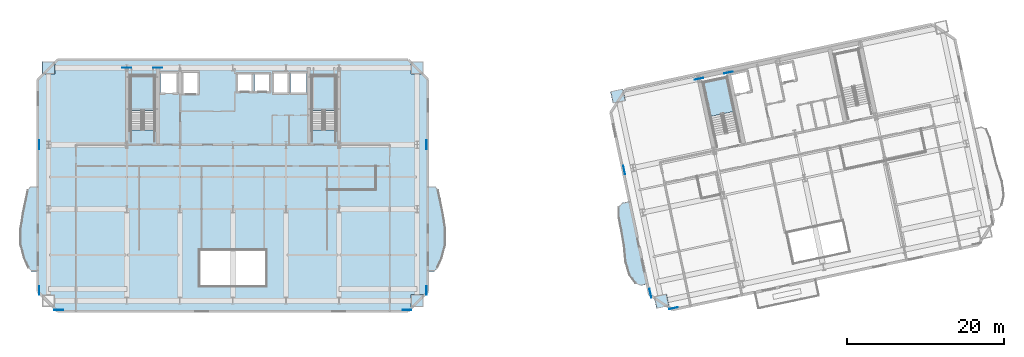
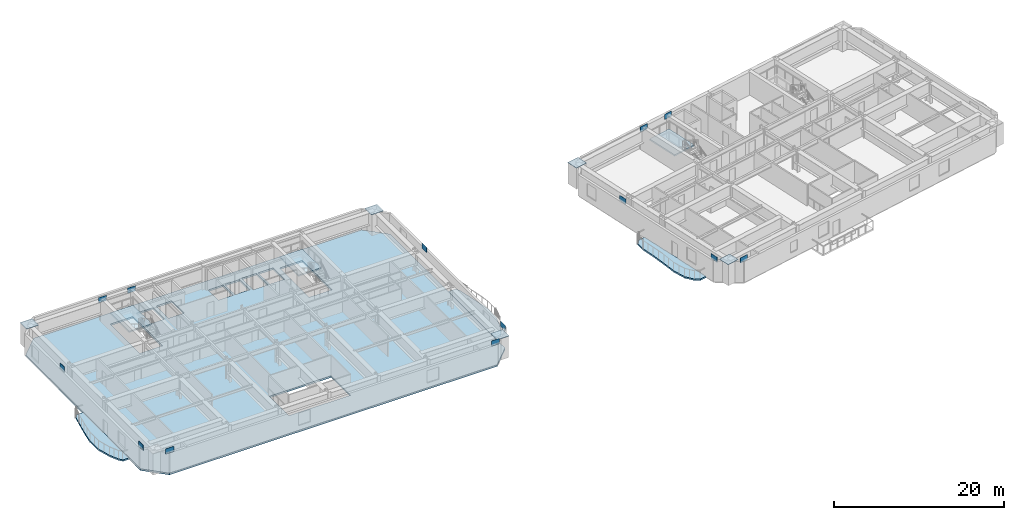
# One storey, part 5 of 16: 18 plates, 7 slabs, 3 elements without a shape of their own.
"""IFC4 building model written with IfcOpenShell, lengths in metres."""

from ifc_helpers import new_model, si_unit, direction, frame, origin, origin_2d, place, context, subcontext, project, spatial, polyline, rectangle, outline, extrude, material, layer, layer_set, type_object, element, aggregate, save


model = new_model("IFC4")

# Units and contexts
model_context = context("Model", 3, precision=1e-05, world=origin(), true_north=direction((0.0, 1.0)))
body_context = subcontext(model_context, "Body", "Model", "MODEL_VIEW")
ifc_project = project(units=[si_unit("LENGTHUNIT", "METRE"), si_unit("AREAUNIT", "SQUARE_METRE"), si_unit("VOLUMEUNIT", "CUBIC_METRE"), si_unit("PLANEANGLEUNIT", "RADIAN"), si_unit("MASSUNIT", "GRAM", prefix="KILO")], contexts=[model_context])

# Site, building, storey
site_placement = place(None, origin())
site = spatial("IfcSite", under=ifc_project, at=site_placement, CompositionType="ELEMENT")
building_placement = place(site_placement, origin())
building = spatial("IfcBuilding", under=site, at=building_placement, Name="Haevon Station Towers", CompositionType="ELEMENT")
storey_placement = place(building_placement, frame((0.0, 0.0, 90.0)))
storey = spatial("IfcBuildingStorey", under=building, at=storey_placement, Name="L23", CompositionType="ELEMENT", Elevation=90.0)

# Plates
ifc_material_1 = material(Name="PL-FLG1", Category="steel")
ifc_layer_1 = layer(ifc_material_1, 0.044921875)
ifc_layer_set_1 = layer_set([ifc_layer_1], Name="PL-FLG1")
plate_type_1 = type_object("IfcPlateType", Name="PL-FLG1", PredefinedType="USERDEFINED", material=ifc_layer_set_1)
for number, where, z_axis, x_axis, name in (
    (1, (14.050048828125, 48.0, 3.050048828125), (0.0, 0.0, 1.0), (1.0, 0.0, 0.0), "PL-CAP-T1-L23-01-04"),
    (2, (60.949951171875, 18.35009765625, 3.050048828125), (0.0, 0.0, 1.0), (1.0, 0.0, 0.0), "PL-CAP-T1-L23-07-01"),
    (3, (60.949951171875, 48.0, 3.050048828125), (0.0, 0.0, 1.0), (1.0, 0.0, 0.0), "PL-CAP-T1-L23-07-04"),
    (4, (92.040283203125, 18.278076171875, 3.050048828125), (0.0, 0.0, 1.0), (0.978147600734, 0.207911690818, 0.0), "PL-CAP-T2-L23-01-01"),
    (5, (86.489013671875, 44.39453125, 3.050048828125), (0.0, 0.0, 1.0), (0.978147600734, 0.207911690818, 0.0), "PL-CAP-T2-L23-01-04"),
):
    element("IfcPlate", number, at=place(storey_placement, frame(where, z_axis=z_axis, x_axis=x_axis)), inside=storey, type_object=plate_type_1, Name=name, ObjectType="FLANGE_PLATE", PredefinedType="USERDEFINED", context=body_context, shape_type="SweptSolid", body=[
        extrude(rectangle(XDim=1.639892578125, YDim=1.5400390625, at=origin_2d()), origin(), (0.0, 0.0, 1.0), 0.0400390625),
    ])
ifc_material_2 = material(Name="PL-SPL1", Category="steel")
ifc_layer_2 = layer(ifc_material_2, 0.031982421875)
ifc_layer_set_2 = layer_set([ifc_layer_2], Name="PL-SPL1")
plate_type_2 = type_object("IfcPlateType", Name="PL-SPL1", PredefinedType="USERDEFINED", material=ifc_layer_set_2)
for number, where, z_axis, x_axis, name in (
    (6, (15.35009765625, 17.179931640625, 2.77490234375), (0.0, 0.0, 1.0), (1.0, 0.0, 0.0), "PL-T1SPL-T02-S-3"),
    (7, (59.64990234375, 17.179931640625, 2.77490234375), (0.0, 0.0, 1.0), (1.0, 0.0, 0.0), "PL-T1SPL-T02-S-4"),
    (8, (24.0, 48.0, 2.77490234375), (0.0, 0.0, 1.0), (1.0, 0.0, 0.0), "PL-T1SPL-T02-N-3"),
    (9, (27.949951171875, 48.0, 2.77490234375), (0.0, 0.0, 1.0), (1.0, 0.0, 0.0), "PL-T1SPL-T02-N-4"),
    (10, (12.8798828125, 19.64990234375, 2.77490234375), (0.0, 0.0, 1.0), (0.0, 1.0, 0.0), "PL-T1SPL-T02-W-3"),
    (11, (12.8798828125, 38.199951171875, 2.77490234375), (0.0, 0.0, 1.0), (0.0, 1.0, 0.0), "PL-T1SPL-T02-W-4"),
    (12, (62.1201171875, 19.64990234375, 2.77490234375), (0.0, 0.0, 1.0), (0.0, 1.0, 0.0), "PL-T1SPL-T02-E-3"),
    (13, (62.1201171875, 38.199951171875, 2.77490234375), (0.0, 0.0, 1.0), (0.0, 1.0, 0.0), "PL-T1SPL-T02-E-4"),
    (14, (93.554931640625, 17.404052734375, 2.77490234375), (0.0, 0.0, 1.0), (0.978147600734, 0.207911690818, 0.0), "PL-T2SPL-T02-S-3"),
    (15, (96.808349609375, 46.588134765625, 2.77490234375), (0.0, 0.0, 1.0), (0.978147600734, 0.207911690818, 0.0), "PL-T2SPL-T02-N-3"),
    (16, (100.57421875, 47.388671875, 2.77490234375), (0.0, 0.0, 1.0), (0.978147600734, 0.207911690818, 0.0), "PL-T2SPL-T02-N-4"),
    (17, (90.62548828125, 19.306396484375, 2.77490234375), (0.0, 0.0, 1.0), (-0.207911690818, 0.978147600734, 0.0), "PL-T2SPL-T02-W-3"),
    (18, (87.28857421875, 35.005615234375, 2.77490234375), (0.0, 0.0, 1.0), (-0.207911690818, 0.978147600734, 0.0), "PL-T2SPL-T02-W-4"),
):
    element("IfcPlate", number, at=place(storey_placement, frame(where, z_axis=z_axis, x_axis=x_axis)), inside=storey, type_object=plate_type_2, Name=name, ObjectType="SPLICE_PLATE", PredefinedType="USERDEFINED", context=body_context, shape_type="SweptSolid", body=[
        extrude(rectangle(XDim=1.10009765625, YDim=0.031982421875, at=origin_2d()), origin(), (0.0, 0.0, 1.0), 0.75),
    ])

# Slabs
ifc_material_3 = material(Name="Concrete C40/50", Category="concrete")
ifc_layer_3 = layer(ifc_material_3, 0.219970703125)
ifc_layer_set_3 = layer_set([ifc_layer_3], Name="Concrete C40/50")
slab_type_1 = type_object("IfcSlabType", Name="SL-BALC220", PredefinedType="FLOOR", material=ifc_layer_set_3)
slab_1_placement = place(storey_placement, frame((0.0, 0.0, -0.219970703125)))
element("IfcSlab", 19, at=slab_1_placement, inside=storey, type_object=slab_type_1, Name="Tower 1 L23 West SCALLOPED BALCONY", PredefinedType="FLOOR", context=body_context, shape_type="SweptSolid", body=[
    extrude(outline(polyline([(12.695068359375, 32.89990234375), (11.737548828125, 32.89990234375), (11.4091796875, 32.489013671875), (11.162353515625, 31.318359375), (10.780517578125, 29.56640625), (10.41552734375, 27.5), (10.463623046875, 25.43359375), (10.95166015625, 23.681640625), (11.497314453125, 22.510986328125), (11.844970703125, 22.10009765625), (12.695068359375, 22.10009765625), (12.695068359375, 32.89990234375)])), origin(), (0.0, 0.0, 1.0), 0.219970703125),
])
slab_2_placement = place(storey_placement, frame((0.0, 0.0, -0.219970703125)))
element("IfcSlab", 20, at=slab_2_placement, inside=storey, type_object=slab_type_1, Name="Tower 1 L23 East SCALLOPED BALCONY", PredefinedType="FLOOR", context=body_context, shape_type="SweptSolid", body=[
    extrude(outline(polyline([(62.304931640625, 22.10009765625), (63.155029296875, 22.10009765625), (63.502685546875, 22.510986328125), (64.04833984375, 23.681640625), (64.536376953125, 25.43359375), (64.58447265625, 27.5), (64.219482421875, 29.56640625), (63.837646484375, 31.318359375), (63.5908203125, 32.489013671875), (63.262451171875, 32.89990234375), (62.304931640625, 32.89990234375), (62.304931640625, 22.10009765625)])), origin(), (0.0, 0.0, 1.0), 0.219970703125),
])
slab_3_placement = place(storey_placement, frame((0.0, 0.0, -0.219970703125)))
element("IfcSlab", 21, at=slab_3_placement, inside=storey, type_object=slab_type_1, Name="Tower 2 L23 West SCALLOPED BALCONY", PredefinedType="FLOOR", context=body_context, shape_type="SweptSolid", body=[
    extrude(outline(polyline([(87.949462890625, 31.005615234375), (87.01318359375, 30.806640625), (86.569091796875, 30.2919921875), (86.5732421875, 29.09619140625), (86.8984375, 27.374267578125), (87.193603515625, 25.324462890625), (87.44775390625, 23.265869140625), (87.954833984375, 21.58251953125), (88.72998046875, 20.550537109375), (89.363525390625, 20.264892578125), (90.195068359375, 20.441650390625), (87.949462890625, 31.005615234375)])), origin(), (0.0, 0.0, 1.0), 0.219970703125),
])

# Stair, slab
stair_type = type_object("IfcStairType", Name="STR-DL1450", PredefinedType="USERDEFINED", material=ifc_material_3)
stair_1_placement = place(storey_placement, origin())
stair_1 = element("IfcStair", 22, at=stair_1_placement, inside=storey, type_object=stair_type, Name="L23 Escape Stair ST1", ObjectType="TWO_RETURN_STAIR", PredefinedType="USERDEFINED")
ifc_layer_4 = layer(ifc_material_3, 0.199951171875)
ifc_layer_set_4 = layer_set([ifc_layer_4], Name="Concrete C40/50")
slab_type_2 = type_object("IfcSlabType", Name="SL-LND200", PredefinedType="LANDING", material=ifc_layer_set_4)
slab_4_placement = place(storey_placement, frame((0.0, 0.0, 1.449951171875)))
slab_4 = element("IfcSlab", 23, at=slab_4_placement, type_object=slab_type_2, Name="L23 ST1 Half Landing 1", PredefinedType="LANDING", context=body_context, shape_type="SweptSolid", body=[
    extrude(outline(polyline([(27.580078125, 42.56396484375), (27.580078125, 47.0), (24.47998046875, 47.0), (24.47998046875, 42.56396484375), (27.580078125, 42.56396484375)])), origin(), (0.0, 0.0, 1.0), 0.199951171875),
])
aggregate(stair_1, [slab_4])

stair_2_placement = place(storey_placement, origin())
stair_2 = element("IfcStair", 24, at=stair_2_placement, inside=storey, type_object=stair_type, Name="L23 Escape Stair ST2", ObjectType="TWO_RETURN_STAIR", PredefinedType="USERDEFINED")
slab_5_placement = place(storey_placement, frame((0.0, 0.0, 1.449951171875)))
slab_5 = element("IfcSlab", 25, at=slab_5_placement, type_object=slab_type_2, Name="L23 ST2 Half Landing 1", PredefinedType="LANDING", context=body_context, shape_type="SweptSolid", body=[
    extrude(outline(polyline([(50.6201171875, 42.56396484375), (50.6201171875, 47.0), (47.52001953125, 47.0), (47.52001953125, 42.56396484375), (50.6201171875, 42.56396484375)])), origin(), (0.0, 0.0, 1.0), 0.199951171875),
])
aggregate(stair_2, [slab_5])

stair_3_placement = place(storey_placement, origin())
stair_3 = element("IfcStair", 26, at=stair_3_placement, inside=storey, type_object=stair_type, Name="L23 Escape Stair ST3", ObjectType="TWO_RETURN_STAIR", PredefinedType="USERDEFINED")
slab_6_placement = place(storey_placement, frame((0.0, 0.0, 1.449951171875)))
slab_6 = element("IfcSlab", 27, at=slab_6_placement, type_object=slab_type_2, Name="L23 ST3 Half Landing 1", PredefinedType="LANDING", context=body_context, shape_type="SweptSolid", body=[
    extrude(outline(polyline([(101.2880859375, 42.44287109375), (100.36572265625, 46.781982421875), (97.33349609375, 46.137451171875), (98.255859375, 41.79833984375), (101.2880859375, 42.44287109375)])), origin(), (0.0, 0.0, 1.0), 0.199951171875),
])
aggregate(stair_3, [slab_6])

# Slab
ifc_layer_5 = layer(ifc_material_3, 0.25)
ifc_layer_set_5 = layer_set([ifc_layer_5], Name="Concrete C40/50")
slab_type_3 = type_object("IfcSlabType", Name="SL-TW250", PredefinedType="FLOOR", material=ifc_layer_set_5)
slab_7_placement = place(storey_placement, frame((0.0, 0.0, -0.25)))
element("IfcSlab", 28, at=slab_7_placement, inside=storey, type_object=slab_type_3, Name="SL-T1-L23", PredefinedType="FLOOR", context=body_context, shape_type="SweptSolid", body=[
    extrude(outline(polyline([(15.199951171875, 17.0), (59.800048828125, 17.0), (62.300048828125, 19.5), (62.300048828125, 46.5), (59.800048828125, 49.0), (15.199951171875, 49.0), (12.699951171875, 46.5), (12.699951171875, 19.5), (15.199951171875, 17.0)]), holes=[polyline([(27.580078125, 40.055908203125), (27.580078125, 47.0), (24.47998046875, 47.0), (24.47998046875, 40.055908203125), (27.580078125, 40.055908203125)]), polyline([(50.6201171875, 40.055908203125), (50.6201171875, 47.0), (47.52001953125, 47.0), (47.52001953125, 40.055908203125), (50.6201171875, 40.055908203125)]), polyline([(28.300048828125, 44.699951171875), (30.5, 44.699951171875), (30.5, 47.39990234375), (28.300048828125, 47.39990234375), (28.300048828125, 44.699951171875)]), polyline([(31.050048828125, 44.60009765625), (33.14990234375, 44.60009765625), (33.14990234375, 47.5), (31.050048828125, 47.5), (31.050048828125, 44.60009765625)]), polyline([(38.0, 44.89990234375), (40.0, 44.89990234375), (40.0, 47.300048828125), (38.0, 47.300048828125), (38.0, 44.89990234375)]), polyline([(40.25, 44.89990234375), (42.25, 44.89990234375), (42.25, 47.300048828125), (40.25, 47.300048828125), (40.25, 44.89990234375)]), polyline([(42.60009765625, 44.699951171875), (44.60009765625, 44.699951171875), (44.60009765625, 47.39990234375), (42.60009765625, 47.39990234375), (42.60009765625, 44.699951171875)]), polyline([(44.85009765625, 44.699951171875), (46.85009765625, 44.699951171875), (46.85009765625, 47.39990234375), (44.85009765625, 47.39990234375), (44.85009765625, 44.699951171875)]), polyline([(33.300048828125, 20.199951171875), (41.699951171875, 20.199951171875), (41.699951171875, 24.800048828125), (33.300048828125, 24.800048828125), (33.300048828125, 20.199951171875)])]), origin(), (0.0, 0.0, 1.0), 0.25),
])

save(model, "model.ifc")
